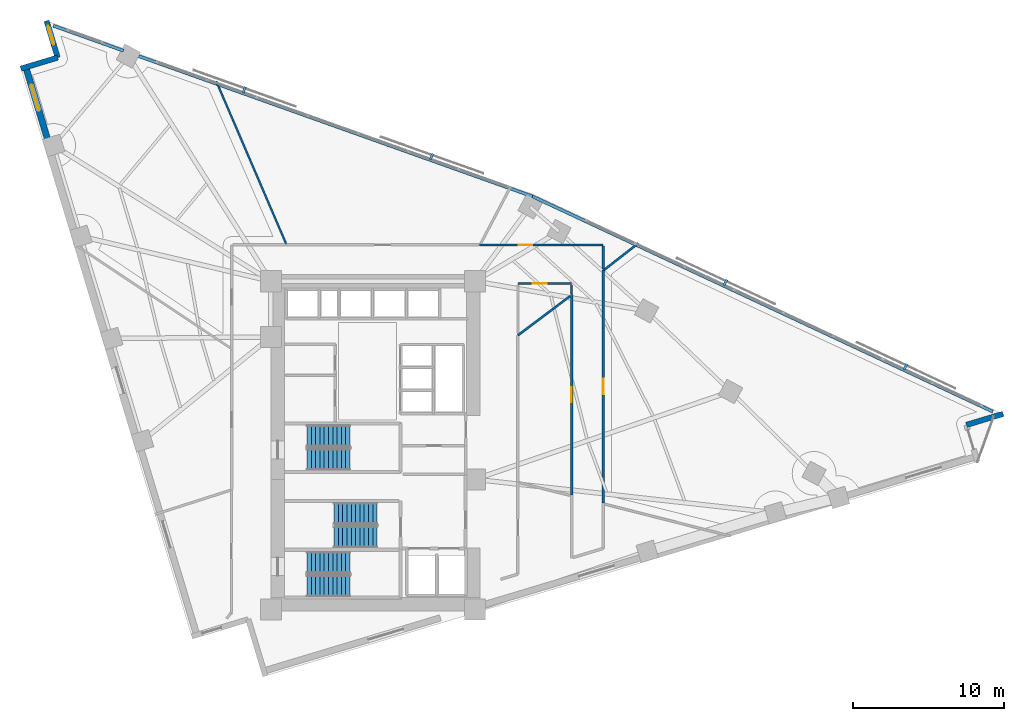
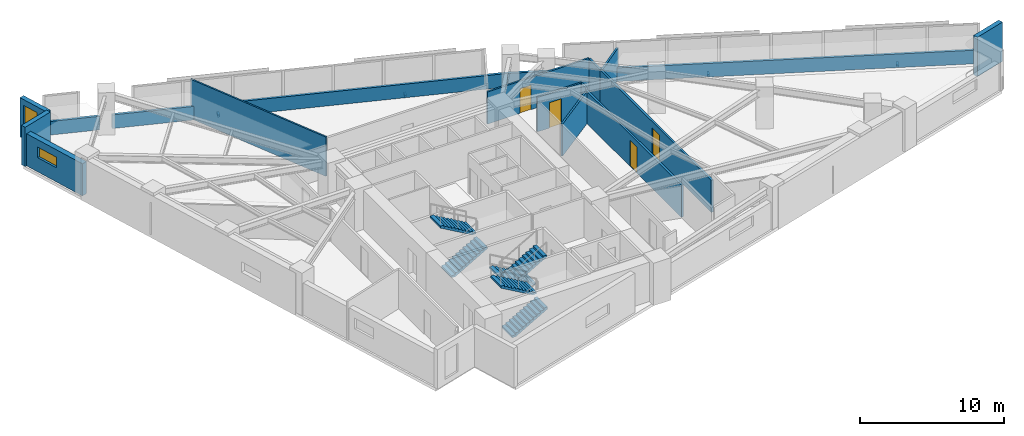
# One storey, part 12 of 14: 16 walls, 6 stair flights, 4 discrete accessories, 4 doors, 2 windows, 6 openings, 3 elements without a shape of their own.
"""IFC4 building model written with IfcOpenShell, lengths in metres."""

from ifc_helpers import new_model, si_unit, direction, frame, frame_2d, origin, origin_2d, place, context, subcontext, project, spatial, polyline, rectangle, outline, extrude, material, layer, layer_set, type_object, element, fill, aggregate, save


model = new_model("IFC4")

# Units and contexts
model_context = context("Model", 3, precision=1e-05, world=origin(), true_north=direction((0.0, 1.0)))
body_context = subcontext(model_context, "Body", "Model", "MODEL_VIEW")
ifc_project = project(units=[si_unit("LENGTHUNIT", "METRE"), si_unit("AREAUNIT", "SQUARE_METRE"), si_unit("VOLUMEUNIT", "CUBIC_METRE"), si_unit("PLANEANGLEUNIT", "RADIAN"), si_unit("MASSUNIT", "GRAM", prefix="KILO")], contexts=[model_context])

# Site, building, storey
site_placement = place(None, origin())
site = spatial("IfcSite", under=ifc_project, at=site_placement, CompositionType="ELEMENT")
building_placement = place(site_placement, origin())
building = spatial("IfcBuilding", under=site, at=building_placement, Name="Narakoshi Arena Tower", CompositionType="ELEMENT")
storey_placement = place(building_placement, frame((0.0, 0.0, 135.89990234375)))
storey = spatial("IfcBuildingStorey", under=building, at=storey_placement, Name="L36", CompositionType="ELEMENT", Elevation=135.89990234375)

# Wall, opening, door
ifc_material_1 = material(Name="Gypsum plasterboard fire-rated partition")
ifc_layer_1 = layer(ifc_material_1, 0.1650390625)
ifc_layer_set_1 = layer_set([ifc_layer_1], Name="Gypsum plasterboard fire-rated partition")
wall_type_1 = type_object("IfcWallType", Name="WL-CORR-165", PredefinedType="PARTITIONING", material=ifc_layer_set_1)
wall_1_placement = place(storey_placement, frame((94.061279296875, 41.793212890625, 0.0), z_axis=(0.0, 0.0, 1.0), x_axis=(0.0, 1.0, 0.0)))
wall_1 = element("IfcWall", 1, at=wall_1_placement, inside=storey, type_object=wall_type_1, Name="L36 Corridor Partition 03-1", PredefinedType="PARTITIONING", context=body_context, shape_type="SweptSolid", body=[
    extrude(rectangle(XDim=15.438720703125, YDim=0.1650390625, at=frame_2d((7.71923828125, 0.0))), origin(), (0.0, 0.0, 1.0), 2.72509765625),
])
opening_1_placement = place(wall_1_placement, frame((7.219482421875, 0.0, 0.0)))
opening_1 = element("IfcOpeningElement", 2, at=opening_1_placement, cuts=wall_1, Name="Opening D-06", PredefinedType="OPENING", context=body_context, shape_type="SweptSolid", body=[
    extrude(rectangle(XDim=1.0, YDim=2.199951171875, at=frame_2d((0.5, 1.10009765625))), frame((0.0, 0.092529296875, 0.0), z_axis=(0.0, -1.0, 0.0), x_axis=(1.0, 0.0, 0.0)), (0.0, 0.0, 1.0), 0.18505859375),
])
ifc_material_2 = material(Name="Stained oak solid-core timber", Category="wood")
door_type_1 = type_object("IfcDoorType", Name="DR-OFF-1000", OperationType="NOTDEFINED", PredefinedType="DOOR", material=ifc_material_2)
door_1_placement = place(opening_1_placement, frame((1.0, 0.0, 0.0), z_axis=(0.0, 0.0, 1.0), x_axis=(-1.0, 0.0, 0.0)))
door_1 = element("IfcDoor", 3, at=door_1_placement, inside=storey, type_object=door_type_1, Name="DR-L36-017", OperationType="SINGLE_SWING_RIGHT", OverallHeight=2.199951171875, OverallWidth=1.0, PredefinedType="DOOR", context=body_context, shape_type="SweptSolid", body=[
    extrude(rectangle(XDim=1.0, YDim=2.199951171875, at=frame_2d((0.5, 1.10009765625))), frame((0.0, 0.02490234375, 0.0), z_axis=(0.0, -1.0, 0.0), x_axis=(1.0, 0.0, 0.0)), (0.0, 0.0, 1.0), 0.050048828125),
])
fill(opening_1, door_1)

wall_2_placement = place(storey_placement, frame((91.961181640625, 55.62939453125, 0.0), z_axis=(0.0, 0.0, 1.0), x_axis=(0.0, -1.0, 0.0)))
wall_2 = element("IfcWall", 4, at=wall_2_placement, inside=storey, type_object=wall_type_1, Name="L36 Corridor Partition 04-1", PredefinedType="PARTITIONING", context=body_context, shape_type="SweptSolid", body=[
    extrude(rectangle(XDim=13.310791015625, YDim=0.1650390625, at=frame_2d((6.6552734375, 0.0))), origin(), (0.0, 0.0, 1.0), 2.72509765625),
])
opening_2_placement = place(wall_2_placement, frame((6.1552734375, 0.0, 0.0)))
opening_2 = element("IfcOpeningElement", 5, at=opening_2_placement, cuts=wall_2, Name="Opening D-06", PredefinedType="OPENING", context=body_context, shape_type="SweptSolid", body=[
    extrude(rectangle(XDim=1.0, YDim=2.199951171875, at=frame_2d((0.5, 1.10009765625))), frame((0.0, 0.092529296875, 0.0), z_axis=(0.0, -1.0, 0.0), x_axis=(1.0, 0.0, 0.0)), (0.0, 0.0, 1.0), 0.18505859375),
])
door_2_placement = place(opening_2_placement, frame((1.0, 0.0, 0.0), z_axis=(0.0, 0.0, 1.0), x_axis=(-1.0, 0.0, 0.0)))
door_2 = element("IfcDoor", 6, at=door_2_placement, inside=storey, type_object=door_type_1, Name="DR-L36-018", OperationType="SINGLE_SWING_LEFT", OverallHeight=2.199951171875, OverallWidth=1.0, PredefinedType="DOOR", context=body_context, shape_type="SweptSolid", body=[
    extrude(rectangle(XDim=1.0, YDim=2.199951171875, at=frame_2d((0.5, 1.10009765625))), frame((0.0, 0.02490234375, 0.0), z_axis=(0.0, -1.0, 0.0), x_axis=(1.0, 0.0, 0.0)), (0.0, 0.0, 1.0), 0.050048828125),
])
fill(opening_2, door_2)

# Walls
ifc_material_3 = material(Name="Precast concrete C45/55", Category="concrete")
ifc_layer_2 = layer(ifc_material_3, 0.25)
ifc_layer_set_2 = layer_set([ifc_layer_2], Name="Precast concrete C45/55")
wall_type_2 = type_object("IfcWallType", Name="WL-PARA-250", PredefinedType="PARAPET", material=ifc_layer_set_2)
wall_3_placement = place(storey_placement, frame((119.92578125, 47.843017578125, 0.0), z_axis=(0.0, 0.0, 1.0), x_axis=(-0.905880730846, 0.423532881228, 0.0)))
element("IfcWall", 7, at=wall_3_placement, inside=storey, type_object=wall_type_2, Name="L36 Hypotenuse Sill Upstand Parapet 1-01", PredefinedType="PARAPET", context=body_context, shape_type="SweptSolid", body=[
    extrude(rectangle(XDim=33.74755859375, YDim=0.199951171875, at=frame_2d((16.873779296875, 0.0))), origin(), (0.0, 0.0, 1.0), 1.150146484375),
])
wall_4_placement = place(storey_placement, frame((89.368408203125, 62.13037109375, 0.0), z_axis=(0.0, 0.0, 1.0), x_axis=(-0.942033439765, 0.335518998515, 0.0)))
element("IfcWall", 8, at=wall_4_placement, inside=storey, type_object=wall_type_2, Name="L36 Hypotenuse Sill Upstand Parapet 2-01", PredefinedType="PARAPET", context=body_context, shape_type="SweptSolid", body=[
    extrude(rectangle(XDim=27.969482421875, YDim=0.199951171875, at=frame_2d((13.98486328125, 0.0))), origin(), (0.0, 0.0, 1.0), 1.150146484375),
])
wall_5_placement = place(storey_placement, frame((62.2177734375, 71.800537109375, 0.0), z_axis=(0.0, 0.0, 1.0), x_axis=(-0.942038862895, 0.335503771655, 0.0)))
element("IfcWall", 9, at=wall_5_placement, inside=storey, type_object=wall_type_2, Name="L36 Hypotenuse Sill Upstand Parapet 2-02", PredefinedType="PARAPET", context=body_context, shape_type="SweptSolid", body=[
    extrude(rectangle(XDim=4.941650390625, YDim=0.199951171875, at=frame_2d((2.470703125, 0.0))), origin(), (0.0, 0.0, 1.0), 1.150146484375),
])
ifc_layer_3 = layer(ifc_material_1, 0.125)
ifc_layer_set_3 = layer_set([ifc_layer_3], Name="Gypsum plasterboard fire-rated partition")
wall_type_3 = type_object("IfcWallType", Name="WL-PART-125", PredefinedType="PARTITIONING", material=ifc_layer_set_3)
wall_6_placement = place(storey_placement, frame((73.012451171875, 58.9873046875, 0.0), z_axis=(0.0, 0.0, 1.0), x_axis=(-0.394910032607, 0.918719797406, 0.0)))
element("IfcWall", 10, at=wall_6_placement, inside=storey, type_object=wall_type_3, Name="L36 Inter-Room Partition 07-08", PredefinedType="PARTITIONING", context=body_context, shape_type="SweptSolid", body=[
    extrude(rectangle(XDim=11.744873046875, YDim=0.125, at=frame_2d((5.87255859375, 0.0))), origin(), (0.0, 0.0, 1.0), 3.340087890625),
])

# Wall, opening, window
ifc_layer_4 = layer(ifc_material_3, 0.419921875)
ifc_layer_set_4 = layer_set([ifc_layer_4], Name="Precast concrete C45/55")
wall_type_4 = type_object("IfcWallType", Name="WL-POD-420", PredefinedType="SOLIDWALL", material=ifc_layer_set_4)
wall_7_placement = place(storey_placement, frame((55.734130859375, 70.71142578125, 0.0), z_axis=(0.0, 0.0, 1.0), x_axis=(0.288221590884, -0.957563739157, 0.0)))
wall_7 = element("IfcWall", 11, at=wall_7_placement, inside=storey, type_object=wall_type_4, Name="L36 Architectural Concrete Facade Wall LEGB-1", PredefinedType="SOLIDWALL", context=body_context, shape_type="SweptSolid", body=[
    extrude(rectangle(XDim=5.510986328125, YDim=0.419921875, at=frame_2d((2.75537109375, 0.0))), origin(), (0.0, 0.0, 1.0), 2.72509765625),
])
opening_3_placement = place(wall_7_placement, frame((1.223388671875, 0.0, 1.199951171875)))
opening_3 = element("IfcOpeningElement", 12, at=opening_3_placement, cuts=wall_7, Name="Opening WN-02", PredefinedType="OPENING", context=body_context, shape_type="SweptSolid", body=[
    extrude(rectangle(XDim=1.800048828125, YDim=0.89990234375, at=frame_2d((0.89990234375, 0.449951171875))), frame((0.0, 0.219970703125, 0.0), z_axis=(0.0, -1.0, 0.0), x_axis=(1.0, 0.0, 0.0)), (0.0, 0.0, 1.0), 0.43994140625),
])
ifc_material_4 = material(Name="Bronze-tinted low-E laminated glass", Category="glass")
window_type_1 = type_object("IfcWindowType", Name="WIN-SLT-18x09", PartitioningType="SINGLE_PANEL", PredefinedType="WINDOW", material=ifc_material_4)
window_1_placement = place(opening_3_placement, origin())
window_1 = element("IfcWindow", 13, at=window_1_placement, inside=storey, type_object=window_type_1, Name="L36 LEGB1 Horizontal Slot Window 1", OverallHeight=0.89990234375, OverallWidth=1.800048828125, PartitioningType="SINGLE_PANEL", PredefinedType="WINDOW", context=body_context, shape_type="SweptSolid", body=[
    extrude(rectangle(XDim=1.800048828125, YDim=0.89990234375, at=frame_2d((0.89990234375, 0.449951171875))), frame((0.0, 0.030029296875, 0.0), z_axis=(0.0, -1.0, 0.0), x_axis=(1.0, 0.0, 0.0)), (0.0, 0.0, 1.0), 0.06005859375),
])
fill(opening_3, window_1)

# Wall
wall_8_placement = place(storey_placement, frame((118.17333984375, 46.96044921875, 0.0), z_axis=(0.0, 0.0, 1.0), x_axis=(0.95757848653, 0.288172590882, 0.0)))
element("IfcWall", 14, at=wall_8_placement, inside=storey, type_object=wall_type_4, Name="L36 Re-Entrant Corner Notch Wall NTE-2", PredefinedType="SOLIDWALL", context=body_context, shape_type="SweptSolid", body=[
    extrude(rectangle(XDim=2.552734375, YDim=0.360107421875, at=frame_2d((1.2763671875, 0.0))), origin(), (0.0, 0.0, 1.0), 3.340087890625),
])

# Wall, opening, window
wall_9_placement = place(storey_placement, frame((57.107666015625, 73.790283203125, 0.0), z_axis=(0.0, 0.0, 1.0), x_axis=(0.288198985694, -0.957570542908, 0.0)))
wall_9 = element("IfcWall", 15, at=wall_9_placement, inside=storey, type_object=wall_type_4, Name="L36 Re-Entrant Corner Notch Wall NTN-1", PredefinedType="SOLIDWALL", context=body_context, shape_type="SweptSolid", body=[
    extrude(rectangle(XDim=2.552490234375, YDim=0.360107421875, at=frame_2d((1.2763671875, 0.0))), origin(), (0.0, 0.0, 1.0), 3.340087890625),
])
opening_4_placement = place(wall_9_placement, frame((0.340087890625, 0.0, 0.449951171875)))
opening_4 = element("IfcOpeningElement", 16, at=opening_4_placement, cuts=wall_9, Name="Opening WN-06", PredefinedType="OPENING", context=body_context, shape_type="SweptSolid", body=[
    extrude(rectangle(XDim=1.300048828125, YDim=2.39990234375, at=frame_2d((0.64990234375, 1.199951171875))), frame((0.0, 0.18994140625, 0.0), z_axis=(0.0, -1.0, 0.0), x_axis=(1.0, 0.0, 0.0)), (0.0, 0.0, 1.0), 0.380126953125),
])
window_type_2 = type_object("IfcWindowType", Name="WIN-NTC-16x24", PartitioningType="SINGLE_PANEL", PredefinedType="WINDOW", material=ifc_material_4)
window_2_placement = place(opening_4_placement, origin())
window_2 = element("IfcWindow", 17, at=window_2_placement, inside=storey, type_object=window_type_2, Name="L36 Corner Notch Window NTN", OverallHeight=2.39990234375, OverallWidth=1.300048828125, PartitioningType="SINGLE_PANEL", PredefinedType="WINDOW", context=body_context, shape_type="SweptSolid", body=[
    extrude(rectangle(XDim=1.300048828125, YDim=2.39990234375, at=frame_2d((0.64990234375, 1.199951171875))), frame((0.0, 0.030029296875, 0.0), z_axis=(0.0, -1.0, 0.0), x_axis=(1.0, 0.0, 0.0)), (0.0, 0.0, 1.0), 0.06005859375),
])
fill(opening_4, window_2)

# Walls
wall_10_placement = place(storey_placement, frame((57.84326171875, 71.34619140625, 0.0), z_axis=(0.0, 0.0, 1.0), x_axis=(-0.95757848653, -0.288172590882, 0.0)))
element("IfcWall", 18, at=wall_10_placement, inside=storey, type_object=wall_type_4, Name="L36 Re-Entrant Corner Notch Wall NTN-2", PredefinedType="SOLIDWALL", context=body_context, shape_type="SweptSolid", body=[
    extrude(rectangle(XDim=2.552734375, YDim=0.360107421875, at=frame_2d((1.2763671875, 0.0))), origin(), (0.0, 0.0, 1.0), 3.340087890625),
])
ifc_material_5 = material(Name="Moisture-resistant cement-board partition")
ifc_layer_5 = layer(ifc_material_5, 0.14501953125)
ifc_layer_set_5 = layer_set([ifc_layer_5], Name="Moisture-resistant cement-board partition")
wall_type_5 = type_object("IfcWallType", Name="WL-WET-145", PredefinedType="PARTITIONING", material=ifc_layer_set_5)
wall_11_placement = place(storey_placement, frame((94.099365234375, 57.23193359375, 0.0), z_axis=(0.0, 0.0, 1.0), x_axis=(0.788447778752, 0.615101699056, 0.0)))
element("IfcWall", 19, at=wall_11_placement, inside=storey, type_object=wall_type_5, Name="L36 Inter-Room Partition 03-06", PredefinedType="PARTITIONING", context=body_context, shape_type="SweptSolid", body=[
    extrude(rectangle(XDim=2.90966796875, YDim=0.14501953125, at=frame_2d((1.454833984375, 0.0))), origin(), (0.0, 0.0, 1.0), 2.72509765625),
])
wall_12_placement = place(storey_placement, frame((88.39990234375, 52.911376953125, 0.0), z_axis=(0.0, 0.0, 1.0), x_axis=(0.79981070922, 0.6002523048, 0.0)))
element("IfcWall", 20, at=wall_12_placement, inside=storey, type_object=wall_type_5, Name="L36 Inter-Room Partition 04-05", PredefinedType="PARTITIONING", context=body_context, shape_type="SweptSolid", body=[
    extrude(rectangle(XDim=4.33447265625, YDim=0.14501953125, at=frame_2d((2.167236328125, 0.0))), origin(), (0.0, 0.0, 1.0), 2.72509765625),
])

# Wall, opening, door
wall_13_placement = place(storey_placement, frame((88.39990234375, 56.35009765625, 0.0), z_axis=(0.0, 0.0, 1.0), x_axis=(1.0, 0.0, 0.0)))
wall_13 = element("IfcWall", 21, at=wall_13_placement, inside=storey, type_object=wall_type_5, Name="L36 Corridor Partition 05-1", PredefinedType="PARTITIONING", context=body_context, shape_type="SweptSolid", body=[
    extrude(rectangle(XDim=3.561279296875, YDim=0.14501953125, at=frame_2d((1.78076171875, 0.0))), origin(), (0.0, 0.0, 1.0), 2.925048828125),
])
opening_5_placement = place(wall_13_placement, frame((0.97412109375, 0.0, 0.0)))
opening_5 = element("IfcOpeningElement", 22, at=opening_5_placement, cuts=wall_13, Name="Opening D-07", PredefinedType="OPENING", context=body_context, shape_type="SweptSolid", body=[
    extrude(rectangle(XDim=0.949951171875, YDim=2.14990234375, at=frame_2d((0.47509765625, 1.074951171875))), frame((0.0, 0.08251953125, 0.0), z_axis=(0.0, -1.0, 0.0), x_axis=(1.0, 0.0, 0.0)), (0.0, 0.0, 1.0), 0.1650390625),
])
door_type_2 = type_object("IfcDoorType", Name="DR-ACC-950", OperationType="NOTDEFINED", PredefinedType="DOOR", material=ifc_material_2)
door_3_placement = place(opening_5_placement, frame((0.949951171875, 0.0, 0.0), z_axis=(0.0, 0.0, 1.0), x_axis=(-1.0, 0.0, 0.0)))
door_3 = element("IfcDoor", 23, at=door_3_placement, inside=storey, type_object=door_type_2, Name="DR-L36-019", OperationType="SINGLE_SWING_LEFT", OverallHeight=2.14990234375, OverallWidth=0.949951171875, PredefinedType="DOOR", context=body_context, shape_type="SweptSolid", body=[
    extrude(rectangle(XDim=0.949951171875, YDim=2.14990234375, at=frame_2d((0.47509765625, 1.074951171875))), frame((0.0, 0.02490234375, 0.0), z_axis=(0.0, -1.0, 0.0), x_axis=(1.0, 0.0, 0.0)), (0.0, 0.0, 1.0), 0.050048828125),
])
fill(opening_5, door_3)

# Wall
wall_14_placement = place(storey_placement, frame((91.961181640625, 56.265380859375, 0.0), z_axis=(0.0, 0.0, 1.0), x_axis=(0.0, -1.0, 0.0)))
element("IfcWall", 24, at=wall_14_placement, inside=storey, type_object=wall_type_5, Name="L36 Corridor Partition 05-3", PredefinedType="PARTITIONING", context=body_context, shape_type="SweptSolid", body=[
    extrude(rectangle(XDim=0.60595703125, YDim=0.14501953125, at=frame_2d((0.302978515625, 0.0))), origin(), (0.0, 0.0, 1.0), 2.925048828125),
])

# Wall, opening, door
wall_15_placement = place(storey_placement, frame((94.061279296875, 58.908935546875, 0.0), z_axis=(0.0, 0.0, 1.0), x_axis=(-1.0, 0.0, 0.0)))
wall_15 = element("IfcWall", 25, at=wall_15_placement, inside=storey, type_object=wall_type_5, Name="L36 Corridor Partition 06-1", PredefinedType="PARTITIONING", context=body_context, shape_type="SweptSolid", body=[
    extrude(rectangle(XDim=8.2158203125, YDim=0.14501953125, at=frame_2d((4.10791015625, 0.0))), origin(), (0.0, 0.0, 1.0), 2.72509765625),
])
opening_6_placement = place(wall_15_placement, frame((4.6953125, 0.0, 0.0)))
opening_6 = element("IfcOpeningElement", 26, at=opening_6_placement, cuts=wall_15, Name="Opening D-08", PredefinedType="OPENING", context=body_context, shape_type="SweptSolid", body=[
    extrude(rectangle(XDim=0.89990234375, YDim=2.10009765625, at=frame_2d((0.449951171875, 1.050048828125))), frame((0.0, 0.08251953125, 0.0), z_axis=(0.0, -1.0, 0.0), x_axis=(1.0, 0.0, 0.0)), (0.0, 0.0, 1.0), 0.1650390625),
])
ifc_material_6 = material(Name="Moisture-resistant laminate timber", Category="wood")
door_type_3 = type_object("IfcDoorType", Name="DR-WC-900", OperationType="NOTDEFINED", PredefinedType="DOOR", material=ifc_material_6)
door_4_placement = place(opening_6_placement, frame((0.89990234375, 0.0, 0.0), z_axis=(0.0, 0.0, 1.0), x_axis=(-1.0, 0.0, 0.0)))
door_4 = element("IfcDoor", 27, at=door_4_placement, inside=storey, type_object=door_type_3, Name="DR-L36-020", OperationType="SINGLE_SWING_LEFT", OverallHeight=2.10009765625, OverallWidth=0.89990234375, PredefinedType="DOOR", context=body_context, shape_type="SweptSolid", body=[
    extrude(rectangle(XDim=0.89990234375, YDim=2.10009765625, at=frame_2d((0.449951171875, 1.050048828125))), frame((0.0, 0.02490234375, 0.0), z_axis=(0.0, -1.0, 0.0), x_axis=(1.0, 0.0, 0.0)), (0.0, 0.0, 1.0), 0.050048828125),
])
fill(opening_6, door_4)

# Wall
wall_16_placement = place(storey_placement, frame((94.061279296875, 57.309326171875, 0.0), z_axis=(0.0, 0.0, 1.0), x_axis=(0.0, 1.0, 0.0)))
element("IfcWall", 28, at=wall_16_placement, inside=storey, type_object=wall_type_5, Name="L36 Corridor Partition 06-2", PredefinedType="PARTITIONING", context=body_context, shape_type="SweptSolid", body=[
    extrude(rectangle(XDim=1.51513671875, YDim=0.14501953125, at=frame_2d((0.757568359375, 0.0))), origin(), (0.0, 0.0, 1.0), 2.72509765625),
])

# Stair, stair flights
ifc_material_7 = material(Name="Concrete C45/55", Category="concrete")
stair_type = type_object("IfcStairType", Name="STR-CORE-360", PredefinedType="TWO_STRAIGHT_RUN_STAIR", material=ifc_material_7)
stair_1_placement = place(storey_placement, origin())
stair_1 = element("IfcStair", 29, at=stair_1_placement, inside=storey, type_object=stair_type, Name="L36 Core Escape Stair ST1", PredefinedType="TWO_STRAIGHT_RUN_STAIR")
stair_flight_type = type_object("IfcStairFlightType", Name="FLT-145-160", PredefinedType="STRAIGHT", material=ifc_material_3)
stair_flight_1_placement = place(storey_placement, frame((74.39990234375, 36.27490234375, 0.0), z_axis=(0.0, 0.0, 1.0), x_axis=(1.0, 0.0, 0.0)))
stair_flight_1 = element("IfcStairFlight", 30, at=stair_flight_1_placement, type_object=stair_flight_type, Name="ST1 flight 1", NumberOfRisers=11, NumberOfTreads=10, PredefinedType="STRAIGHT", RiserHeight=0.163636364, TreadLength=0.285, context=body_context, shape_type="SweptSolid", body=[
    extrude(outline(polyline([(0.0, 0.0), (0.0, 0.16357421875), (0.284912109375, 0.16357421875), (0.284912109375, 0.327392578125), (0.570068359375, 0.327392578125), (0.570068359375, 0.490966796875), (0.85498046875, 0.490966796875), (0.85498046875, 0.654541015625), (1.139892578125, 0.654541015625), (1.139892578125, 0.818115234375), (1.425048828125, 0.818115234375), (1.425048828125, 0.98193359375), (1.7099609375, 0.98193359375), (1.7099609375, 1.1455078125), (1.9951171875, 1.1455078125), (1.9951171875, 1.30908203125), (2.280029296875, 1.30908203125), (2.280029296875, 1.47265625), (2.56494140625, 1.47265625), (2.56494140625, 1.636474609375), (2.85009765625, 1.636474609375), (2.85009765625, 1.800048828125), (2.85009765625, 1.463623046875), (0.301025390625, 0.0), (0.0, 0.0)])), frame((0.0, 0.72509765625, 0.0), z_axis=(0.0, -1.0, 0.0), x_axis=(1.0, 0.0, 0.0)), (0.0, 0.0, 1.0), 1.449951171875),
])
stair_flight_2_placement = place(storey_placement, frame((77.25, 37.824951171875, 1.800048828125), z_axis=(0.0, 0.0, 1.0), x_axis=(-1.0, 0.0, 0.0)))
stair_flight_2 = element("IfcStairFlight", 31, at=stair_flight_2_placement, type_object=stair_flight_type, Name="ST1 flight 2", NumberOfRisers=11, NumberOfTreads=10, PredefinedType="STRAIGHT", RiserHeight=0.163636364, TreadLength=0.285, context=body_context, shape_type="SweptSolid", body=[
    extrude(outline(polyline([(0.0, 0.0), (0.0, 0.16357421875), (0.284912109375, 0.16357421875), (0.284912109375, 0.327392578125), (0.570068359375, 0.327392578125), (0.570068359375, 0.490966796875), (0.85498046875, 0.490966796875), (0.85498046875, 0.654541015625), (1.139892578125, 0.654541015625), (1.139892578125, 0.818115234375), (1.425048828125, 0.818115234375), (1.425048828125, 0.98193359375), (1.7099609375, 0.98193359375), (1.7099609375, 1.1455078125), (1.9951171875, 1.1455078125), (1.9951171875, 1.30908203125), (2.280029296875, 1.30908203125), (2.280029296875, 1.47265625), (2.56494140625, 1.47265625), (2.56494140625, 1.636474609375), (2.85009765625, 1.636474609375), (2.85009765625, 1.800048828125), (2.85009765625, 1.463623046875), (0.301025390625, 0.0), (0.0, 0.0)])), frame((0.0, 0.72509765625, 0.0), z_axis=(0.0, -1.0, 0.0), x_axis=(1.0, 0.0, 0.0)), (0.0, 0.0, 1.0), 1.449951171875),
])
aggregate(stair_1, [stair_flight_1, stair_flight_2])

stair_2_placement = place(storey_placement, origin())
stair_2 = element("IfcStair", 32, at=stair_2_placement, inside=storey, type_object=stair_type, Name="L36 Core Escape Stair ST2", PredefinedType="TWO_STRAIGHT_RUN_STAIR")
stair_flight_3_placement = place(storey_placement, frame((79.050048828125, 41.074951171875, 0.0), z_axis=(0.0, 0.0, 1.0), x_axis=(-1.0, 0.0, 0.0)))
stair_flight_3 = element("IfcStairFlight", 33, at=stair_flight_3_placement, type_object=stair_flight_type, Name="ST2 flight 1", NumberOfRisers=11, NumberOfTreads=10, PredefinedType="STRAIGHT", RiserHeight=0.163636364, TreadLength=0.285, context=body_context, shape_type="SweptSolid", body=[
    extrude(outline(polyline([(0.0, 0.0), (0.0, 0.16357421875), (0.284912109375, 0.16357421875), (0.284912109375, 0.327392578125), (0.570068359375, 0.327392578125), (0.570068359375, 0.490966796875), (0.85498046875, 0.490966796875), (0.85498046875, 0.654541015625), (1.139892578125, 0.654541015625), (1.139892578125, 0.818115234375), (1.425048828125, 0.818115234375), (1.425048828125, 0.98193359375), (1.7099609375, 0.98193359375), (1.7099609375, 1.1455078125), (1.9951171875, 1.1455078125), (1.9951171875, 1.30908203125), (2.280029296875, 1.30908203125), (2.280029296875, 1.47265625), (2.56494140625, 1.47265625), (2.56494140625, 1.636474609375), (2.85009765625, 1.636474609375), (2.85009765625, 1.800048828125), (2.85009765625, 1.463623046875), (0.301025390625, 0.0), (0.0, 0.0)])), frame((0.0, 0.72509765625, 0.0), z_axis=(0.0, -1.0, 0.0), x_axis=(1.0, 0.0, 0.0)), (0.0, 0.0, 1.0), 1.449951171875),
])
stair_flight_4_placement = place(storey_placement, frame((76.199951171875, 39.52490234375, 1.800048828125), z_axis=(0.0, 0.0, 1.0), x_axis=(1.0, 0.0, 0.0)))
stair_flight_4 = element("IfcStairFlight", 34, at=stair_flight_4_placement, type_object=stair_flight_type, Name="ST2 flight 2", NumberOfRisers=11, NumberOfTreads=10, PredefinedType="STRAIGHT", RiserHeight=0.163636364, TreadLength=0.285, context=body_context, shape_type="SweptSolid", body=[
    extrude(outline(polyline([(0.0, 0.0), (0.0, 0.16357421875), (0.284912109375, 0.16357421875), (0.284912109375, 0.327392578125), (0.570068359375, 0.327392578125), (0.570068359375, 0.490966796875), (0.85498046875, 0.490966796875), (0.85498046875, 0.654541015625), (1.139892578125, 0.654541015625), (1.139892578125, 0.818115234375), (1.425048828125, 0.818115234375), (1.425048828125, 0.98193359375), (1.7099609375, 0.98193359375), (1.7099609375, 1.1455078125), (1.9951171875, 1.1455078125), (1.9951171875, 1.30908203125), (2.280029296875, 1.30908203125), (2.280029296875, 1.47265625), (2.56494140625, 1.47265625), (2.56494140625, 1.636474609375), (2.85009765625, 1.636474609375), (2.85009765625, 1.800048828125), (2.85009765625, 1.463623046875), (0.301025390625, 0.0), (0.0, 0.0)])), frame((0.0, 0.72509765625, 0.0), z_axis=(0.0, -1.0, 0.0), x_axis=(1.0, 0.0, 0.0)), (0.0, 0.0, 1.0), 1.449951171875),
])
aggregate(stair_2, [stair_flight_3, stair_flight_4])

stair_3_placement = place(storey_placement, origin())
stair_3 = element("IfcStair", 35, at=stair_3_placement, inside=storey, type_object=stair_type, Name="L36 Core Escape Stair ST3", PredefinedType="TWO_STRAIGHT_RUN_STAIR")
stair_flight_5_placement = place(storey_placement, frame((74.39990234375, 44.675048828125, 0.0), z_axis=(0.0, 0.0, 1.0), x_axis=(1.0, 0.0, 0.0)))
stair_flight_5 = element("IfcStairFlight", 36, at=stair_flight_5_placement, type_object=stair_flight_type, Name="ST3 flight 1", NumberOfRisers=11, NumberOfTreads=10, PredefinedType="STRAIGHT", RiserHeight=0.163636364, TreadLength=0.285, context=body_context, shape_type="SweptSolid", body=[
    extrude(outline(polyline([(0.0, 0.0), (0.0, 0.16357421875), (0.284912109375, 0.16357421875), (0.284912109375, 0.327392578125), (0.570068359375, 0.327392578125), (0.570068359375, 0.490966796875), (0.85498046875, 0.490966796875), (0.85498046875, 0.654541015625), (1.139892578125, 0.654541015625), (1.139892578125, 0.818115234375), (1.425048828125, 0.818115234375), (1.425048828125, 0.98193359375), (1.7099609375, 0.98193359375), (1.7099609375, 1.1455078125), (1.9951171875, 1.1455078125), (1.9951171875, 1.30908203125), (2.280029296875, 1.30908203125), (2.280029296875, 1.47265625), (2.56494140625, 1.47265625), (2.56494140625, 1.636474609375), (2.85009765625, 1.636474609375), (2.85009765625, 1.800048828125), (2.85009765625, 1.463623046875), (0.301025390625, 0.0), (0.0, 0.0)])), frame((0.0, 0.72509765625, 0.0), z_axis=(0.0, -1.0, 0.0), x_axis=(1.0, 0.0, 0.0)), (0.0, 0.0, 1.0), 1.449951171875),
])
stair_flight_6_placement = place(storey_placement, frame((77.25, 46.22509765625, 1.800048828125), z_axis=(0.0, 0.0, 1.0), x_axis=(-1.0, 0.0, 0.0)))
stair_flight_6 = element("IfcStairFlight", 37, at=stair_flight_6_placement, type_object=stair_flight_type, Name="ST3 flight 2", NumberOfRisers=11, NumberOfTreads=10, PredefinedType="STRAIGHT", RiserHeight=0.163636364, TreadLength=0.285, context=body_context, shape_type="SweptSolid", body=[
    extrude(outline(polyline([(0.0, 0.0), (0.0, 0.16357421875), (0.284912109375, 0.16357421875), (0.284912109375, 0.327392578125), (0.570068359375, 0.327392578125), (0.570068359375, 0.490966796875), (0.85498046875, 0.490966796875), (0.85498046875, 0.654541015625), (1.139892578125, 0.654541015625), (1.139892578125, 0.818115234375), (1.425048828125, 0.818115234375), (1.425048828125, 0.98193359375), (1.7099609375, 0.98193359375), (1.7099609375, 1.1455078125), (1.9951171875, 1.1455078125), (1.9951171875, 1.30908203125), (2.280029296875, 1.30908203125), (2.280029296875, 1.47265625), (2.56494140625, 1.47265625), (2.56494140625, 1.636474609375), (2.85009765625, 1.636474609375), (2.85009765625, 1.800048828125), (2.85009765625, 1.463623046875), (0.301025390625, 0.0), (0.0, 0.0)])), frame((0.0, 0.72509765625, 0.0), z_axis=(0.0, -1.0, 0.0), x_axis=(1.0, 0.0, 0.0)), (0.0, 0.0, 1.0), 1.449951171875),
])
aggregate(stair_3, [stair_flight_5, stair_flight_6])

# Discrete accessories
ifc_material_8 = material(Name="Structural steel S355J2", Category="steel")
discrete_accessory_type = type_object("IfcDiscreteAccessoryType", Name="ACC-BRK-SCR", PredefinedType="BRACKET", material=ifc_material_8)
for number, where, z_axis, x_axis, name in (
    (38, (114.129150390625, 50.818115234375, -0.080078125), (0.0, 0.0, 1.0), (-0.9058795101, 0.423535492234, 0.0), "L36 Solar Screen Support Bracket SHD-L36-SCR1-1"),
    (39, (102.17138671875, 56.40869140625, -0.080078125), (0.0, 0.0, 1.0), (-0.9058795101, 0.423535492234, 0.0), "L36 Solar Screen Support Bracket SHD-L36-SCR1-2"),
    (40, (82.66650390625, 64.772216796875, -0.080078125), (0.0, 0.0, 1.0), (-0.942034031554, 0.33551733695, 0.0), "L36 Solar Screen Support Bracket SHD-L36-SCR2-1"),
    (41, (70.231689453125, 69.200927734375, -0.080078125), (0.0, 0.0, 1.0), (-0.942034031554, 0.33551733695, 0.0), "L36 Solar Screen Support Bracket SHD-L36-SCR2-2"),
):
    element("IfcDiscreteAccessory", number, at=place(storey_placement, frame(where, z_axis=z_axis, x_axis=x_axis)), inside=storey, type_object=discrete_accessory_type, Name=name, PredefinedType="BRACKET", context=body_context, shape_type="SweptSolid", body=[
        extrude(rectangle(XDim=0.159912109375, YDim=0.425048828125, at=origin_2d()), origin(), (0.0, 0.0, 1.0), 0.199951171875),
    ])

save(model, "model.ifc")
